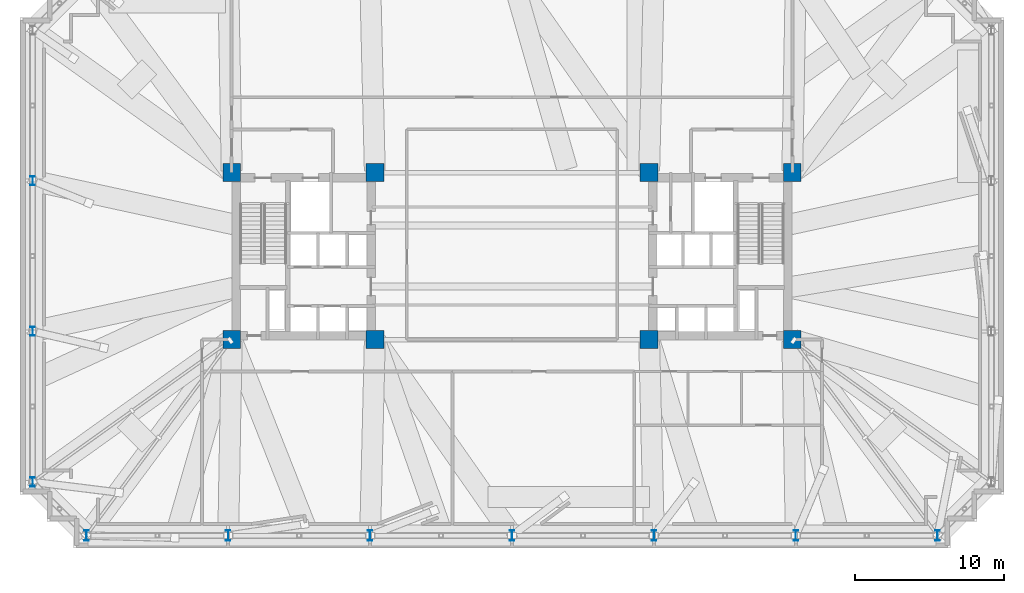
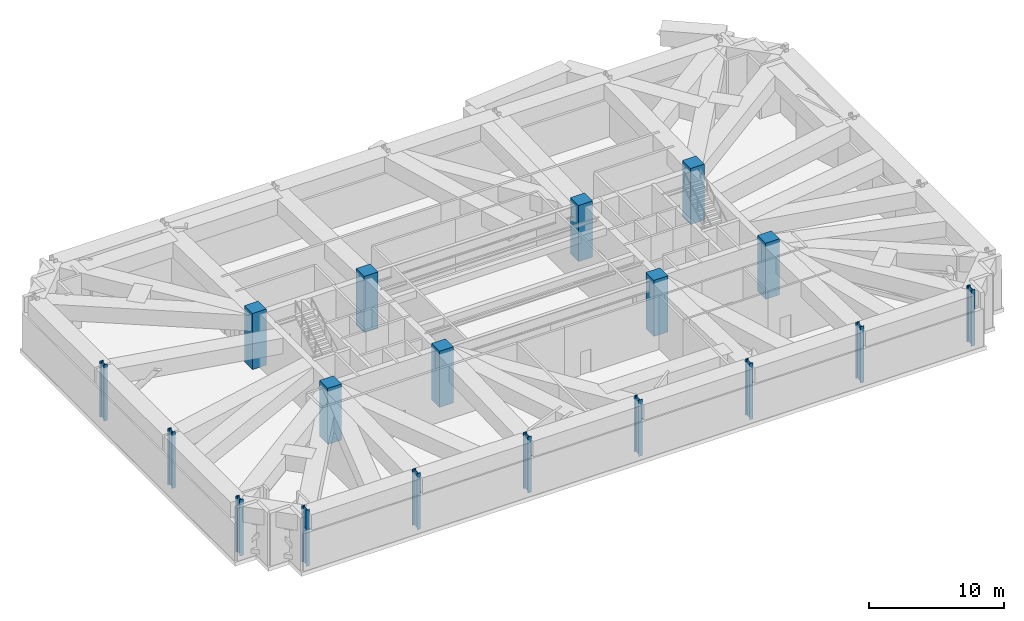
# One storey, part 1 of 20: 18 columns.
"""IFC4 building model written with IfcOpenShell, lengths in metres."""

from ifc_helpers import new_model, si_unit, direction, frame, origin, origin_2d, place, context, subcontext, project, spatial, rectangle, i_section, extrude, material, material_profile, profile_set, type_object, element, save


model = new_model("IFC4")

# Units and contexts
model_context = context("Model", 3, precision=1e-05, world=origin(), true_north=direction((0.0, 1.0)))
body_context = subcontext(model_context, "Body", "Model", "MODEL_VIEW")
ifc_project = project(units=[si_unit("LENGTHUNIT", "METRE"), si_unit("AREAUNIT", "SQUARE_METRE"), si_unit("VOLUMEUNIT", "CUBIC_METRE"), si_unit("PLANEANGLEUNIT", "RADIAN"), si_unit("MASSUNIT", "GRAM", prefix="KILO")], contexts=[model_context])

# Site, building, storey
site_placement = place(None, origin())
site = spatial("IfcSite", under=ifc_project, at=site_placement, CompositionType="ELEMENT")
building_placement = place(site_placement, origin())
building = spatial("IfcBuilding", under=site, at=building_placement, Name="Qobustan Lattice House", CompositionType="ELEMENT")
storey_placement = place(building_placement, frame((0.0, 0.0, 73.89990234375)))
storey = spatial("IfcBuildingStorey", under=building, at=storey_placement, Name="L20", CompositionType="ELEMENT", Elevation=73.89990234375)

# Columns
ifc_material_1 = material(Name="Concrete C60/75", Category="concrete")
ifc_material_profile_1 = material_profile(ifc_material_1, rectangle(XDim=1.199951171875, YDim=1.199951171875, at=origin_2d()), Name="RC1200x1200")
ifc_profile_set_1 = profile_set([ifc_material_profile_1], Name="Concrete C60/75")
column_type_1 = type_object("IfcColumnType", Name="COL-RC-1200", PredefinedType="COLUMN", material=ifc_profile_set_1)
for number, where, z_axis, x_axis, name in (
    (1, (-18.800048828125, -5.60009765625, 0.0), (0.0, 0.0, 1.0), (1.0, 0.0, 0.0), "L20 core mega-column CW-SW"),
    (2, (-18.800048828125, 5.60009765625, 0.0), (0.0, 0.0, 1.0), (1.0, 0.0, 0.0), "L20 core mega-column CW-NW"),
    (3, (-9.199951171875, -5.60009765625, 0.0), (0.0, 0.0, 1.0), (1.0, 0.0, 0.0), "L20 core mega-column CW-SE"),
    (4, (-9.199951171875, 5.60009765625, 0.0), (0.0, 0.0, 1.0), (1.0, 0.0, 0.0), "L20 core mega-column CW-NE"),
    (5, (9.199951171875, -5.60009765625, 0.0), (0.0, 0.0, 1.0), (1.0, 0.0, 0.0), "L20 core mega-column CE-SW"),
    (6, (9.199951171875, 5.60009765625, 0.0), (0.0, 0.0, 1.0), (1.0, 0.0, 0.0), "L20 core mega-column CE-NW"),
    (7, (18.800048828125, -5.60009765625, 0.0), (0.0, 0.0, 1.0), (1.0, 0.0, 0.0), "L20 core mega-column CE-SE"),
    (8, (18.800048828125, 5.60009765625, 0.0), (0.0, 0.0, 1.0), (1.0, 0.0, 0.0), "L20 core mega-column CE-NE"),
):
    element("IfcColumn", number, at=place(storey_placement, frame(where, z_axis=z_axis, x_axis=x_axis)), inside=storey, type_object=column_type_1, Name=name, PredefinedType="COLUMN", context=body_context, shape_type="SweptSolid", body=[
        extrude(rectangle(XDim=1.199951171875, YDim=1.199951171875, at=origin_2d()), origin(), (0.0, 0.0, 1.0), 5.10009765625),
    ])
ifc_material_2 = material(Name="Steel S460", Category="steel")
ifc_material_profile_2 = material_profile(ifc_material_2, i_section(OverallWidth=0.304931640625, OverallDepth=0.6201171875, WebThickness=0.02099609375, FlangeThickness=0.0400390625, FilletRadius=0.027099609375, at=origin_2d()), Name="HEM600")
ifc_profile_set_2 = profile_set([ifc_material_profile_2], Name="Steel S460")
column_type_2 = type_object("IfcColumnType", Name="COL-ST-HEM600", PredefinedType="COLUMN", material=ifc_profile_set_2)
for number, where, z_axis, x_axis, name in (
    (9, (-32.14990234375, 5.050048828125, 0.0), (0.0, 0.0, 1.0), (1.0, 0.0, 0.0), "L20 B1 perimeter column W2"),
    (10, (-32.14990234375, -5.050048828125, 0.0), (0.0, 0.0, 1.0), (1.0, 0.0, 0.0), "L20 B1 perimeter column W3"),
    (11, (-32.14990234375, -15.14990234375, 0.0), (0.0, 0.0, 1.0), (1.0, 0.0, 0.0), "L20 B1 perimeter column W4"),
):
    element("IfcColumn", number, at=place(storey_placement, frame(where, z_axis=z_axis, x_axis=x_axis)), inside=storey, type_object=column_type_2, Name=name, PredefinedType="COLUMN", context=body_context, shape_type="SweptSolid", body=[
        extrude(i_section(OverallWidth=0.304931640625, OverallDepth=0.6201171875, WebThickness=0.02099609375, FlangeThickness=0.0400390625, FilletRadius=0.027099609375, at=origin_2d()), origin(), (0.0, 0.0, 1.0), 5.10009765625),
    ])
ifc_material_3 = material(Name="Steel S460", Category="steel")
ifc_material_profile_3 = material_profile(ifc_material_3, i_section(OverallWidth=0.303955078125, OverallDepth=0.716064453125, WebThickness=0.02099609375, FlangeThickness=0.0400390625, FilletRadius=0.027099609375, at=origin_2d()), Name="HEM700")
ifc_profile_set_3 = profile_set([ifc_material_profile_3], Name="Steel S460")
column_type_3 = type_object("IfcColumnType", Name="COL-ST-HEM700", PredefinedType="COLUMN", material=ifc_profile_set_3)
for number, where, z_axis, x_axis, name in (
    (12, (-28.550048828125, -18.75, 0.0), (0.0, 0.0, 1.0), (1.0, 0.0, 0.0), "L20 B1 perimeter column S1"),
    (13, (-19.033203125, -18.75, 0.0), (0.0, 0.0, 1.0), (1.0, 0.0, 0.0), "L20 B1 perimeter column S2"),
    (14, (-9.5166015625, -18.75, 0.0), (0.0, 0.0, 1.0), (1.0, 0.0, 0.0), "L20 B1 perimeter column S3"),
    (15, (0.0, -18.75, 0.0), (0.0, 0.0, 1.0), (1.0, 0.0, 0.0), "L20 B1 perimeter column S4"),
    (16, (9.5166015625, -18.75, 0.0), (0.0, 0.0, 1.0), (1.0, 0.0, 0.0), "L20 B1 perimeter column S5"),
    (17, (19.033203125, -18.75, 0.0), (0.0, 0.0, 1.0), (1.0, 0.0, 0.0), "L20 B1 perimeter column S6"),
    (18, (28.550048828125, -18.75, 0.0), (0.0, 0.0, 1.0), (1.0, 0.0, 0.0), "L20 B1 perimeter column S7"),
):
    element("IfcColumn", number, at=place(storey_placement, frame(where, z_axis=z_axis, x_axis=x_axis)), inside=storey, type_object=column_type_3, Name=name, PredefinedType="COLUMN", context=body_context, shape_type="SweptSolid", body=[
        extrude(i_section(OverallWidth=0.303955078125, OverallDepth=0.716064453125, WebThickness=0.02099609375, FlangeThickness=0.0400390625, FilletRadius=0.027099609375, at=origin_2d()), origin(), (0.0, 0.0, 1.0), 5.10009765625),
    ])

save(model, "model.ifc")
